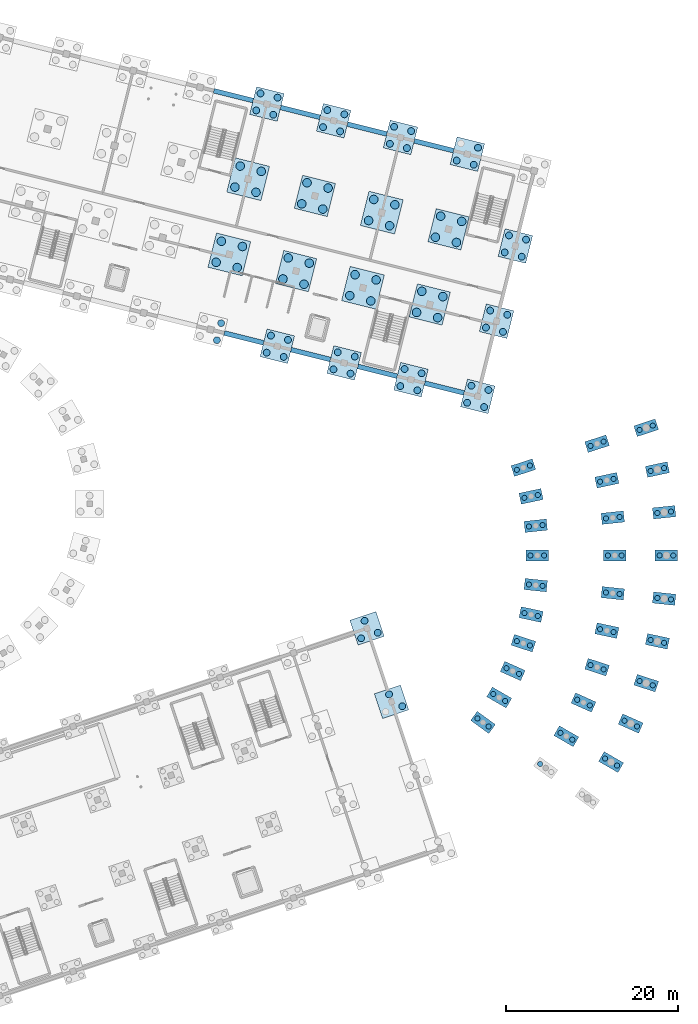
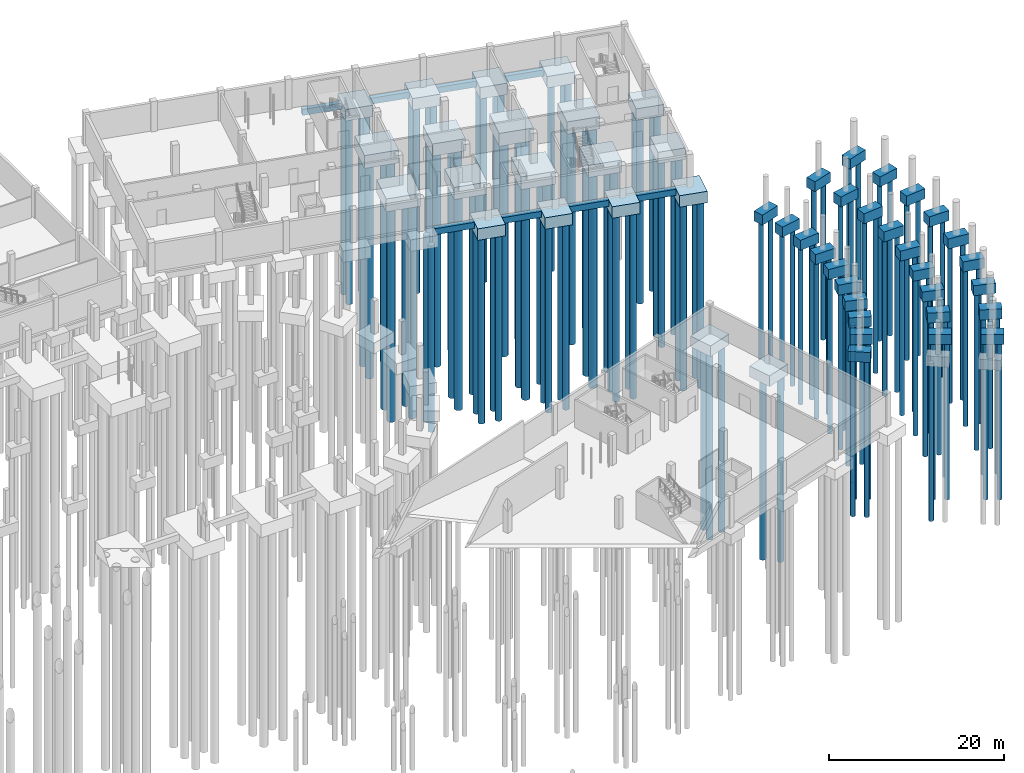
# One storey, part 6 of 36: 135 piles, 56 footings.
"""IFC4 building model written with IfcOpenShell, lengths in metres."""

import ifcopenshell
import ifcopenshell.guid

model = None  # the IFC model being written
_history = None  # IfcOwnerHistory: only IFC2X3 demands one
_inside = {}  # id of a spatial element -> (the spatial element, [elements in it])
_under = {}  # id of a project, library or spatial element -> (it, [spatial elements below it])
_declared = {}  # id of a project -> (the project, [libraries it declares])
_typed = {}  # id of a type object -> (the type object, [elements of that type])
_made_of = {}  # id of a material, layer set ... -> (it, [elements and type objects made of it])


def new_model(schema):
    """Start an empty IFC model of exactly this schema.

    Asked for "IFC4X3", IfcOpenShell would pick the latest addendum, in which some entities
    have other attributes; the version numbers below select the first issue.
    IFC2X3 requires an IfcOwnerHistory on every rooted entity: one is made here for all.
    """
    global model, _history
    if schema == "IFC4X3":
        model = ifcopenshell.file(schema_version=(4, 3, 0, 0))
    else:
        model = ifcopenshell.file(schema=schema)
    _inside.clear()
    _under.clear()
    _declared.clear()
    _typed.clear()
    _made_of.clear()
    _history = None
    if model.schema == "IFC2X3":
        org = make("IfcOrganization", Name="unknown")
        user = make(
            "IfcPersonAndOrganization",
            ThePerson=make("IfcPerson", FamilyName="unknown"),
            TheOrganization=org,
        )
        app = make(
            "IfcApplication",
            ApplicationDeveloper=org,
            Version="unknown",
            ApplicationFullName="unknown",
            ApplicationIdentifier="unknown",
        )
        _history = make(
            "IfcOwnerHistory",
            OwningUser=user,
            OwningApplication=app,
            ChangeAction="ADDED",
            CreationDate=0,
        )
    return model


def make(cls, **values):
    """One entity of the class cls with the attributes given. An attribute that is None is left unset."""
    return model.create_entity(
        cls, **{name: value for name, value in values.items() if value is not None}
    )


def rooted(cls, **values):
    """An entity with a GlobalId (a new one), such as an element, a storey or a relation."""
    return make(cls, GlobalId=ifcopenshell.guid.new(), OwnerHistory=_history, **values)


def si_unit(unit_type, name, prefix=None):
    """IfcSIUnit, for example si_unit("LENGTHUNIT", "METRE", prefix="MILLI")."""
    return make("IfcSIUnit", UnitType=unit_type, Prefix=prefix, Name=name)


def derived_unit(unit_type, elements):
    """IfcDerivedUnit: a product of units, each with its exponent."""
    return make(
        "IfcDerivedUnit",
        Elements=[
            make("IfcDerivedUnitElement", Unit=unit, Exponent=power)
            for unit, power in elements
        ],
        UnitType=unit_type,
    )


def assignment(units):
    """IfcUnitAssignment: the units of a project."""
    return None if units is None else make("IfcUnitAssignment", Units=units)


def point(xyz):
    """IfcCartesianPoint."""
    return None if xyz is None else make("IfcCartesianPoint", Coordinates=xyz)


def direction(xyz):
    """IfcDirection."""
    return None if xyz is None else make("IfcDirection", DirectionRatios=xyz)


def frame(location, z_axis=None, x_axis=None):
    """IfcAxis2Placement3D, a coordinate frame: its origin and axes. An axis left out is left unset."""
    return make(
        "IfcAxis2Placement3D",
        Location=point(location),
        Axis=direction(z_axis),
        RefDirection=direction(x_axis),
    )


def frame_2d(location, x_axis=None):
    """IfcAxis2Placement2D, a coordinate frame in the plane: its origin and x axis."""
    return make(
        "IfcAxis2Placement2D", Location=point(location), RefDirection=direction(x_axis)
    )


def origin():
    """The frame at (0, 0, 0) with its axes left unset."""
    return frame((0.0, 0.0, 0.0))


def origin_2d():
    """The frame at (0, 0) in the plane with its x axis left unset."""
    return frame_2d((0.0, 0.0))


def place(relative_to, where):
    """IfcLocalPlacement: puts the frame where relative to a parent placement (None: the world)."""
    return make(
        "IfcLocalPlacement", PlacementRelTo=relative_to, RelativePlacement=where
    )


def context(
    kind, dimensions, precision=None, world=None, true_north=None, identifier=None
):
    """IfcGeometricRepresentationContext, for example the 3D "Model" context."""
    return make(
        "IfcGeometricRepresentationContext",
        ContextIdentifier=identifier,
        ContextType=kind,
        CoordinateSpaceDimension=dimensions,
        Precision=precision,
        WorldCoordinateSystem=world,
        TrueNorth=true_north,
    )


def subcontext(parent, identifier, kind, view, scale=None):
    """IfcGeometricRepresentationSubContext, for example "Body" below "Model"."""
    return make(
        "IfcGeometricRepresentationSubContext",
        ContextIdentifier=identifier,
        ContextType=kind,
        ParentContext=parent,
        TargetScale=scale,
        TargetView=view,
    )


def project(units=None, contexts=None):
    """IfcProject with its units and contexts."""
    return rooted(
        "IfcProject",
        Name="project",
        RepresentationContexts=contexts,
        UnitsInContext=assignment(units),
    )


def spatial(cls, under=None, at=None, **own):
    """A site, building, storey or space (cls), placed at a placement, below another one or the project."""
    s = rooted(cls, ObjectPlacement=at, **own)
    if under is not None:
        _under.setdefault(under.id(), (under, []))[1].append(s)
    return s


def profile(cls, at=None, kind="AREA", **sizes):
    """A parametric profile (cls). Its sizes go by their IFC names, for example OverallWidth=200.0."""
    return make(cls, ProfileType=kind, Position=at, **sizes)


def rectangle(**sizes):
    """IfcRectangleProfileDef."""
    return profile("IfcRectangleProfileDef", **sizes)


def circle(**sizes):
    """IfcCircleProfileDef."""
    return profile("IfcCircleProfileDef", **sizes)


def extrude(swept, where, along, depth):
    """IfcExtrudedAreaSolid: the profile swept, set in the frame where, extruded along a direction by depth."""
    return make(
        "IfcExtrudedAreaSolid",
        SweptArea=swept,
        Position=where,
        ExtrudedDirection=direction(along),
        Depth=depth,
    )


def shape(context_of_items, identifier, shape_type, items):
    """IfcShapeRepresentation: the items that make up one representation, for example the "Body"."""
    return make(
        "IfcShapeRepresentation",
        ContextOfItems=context_of_items,
        RepresentationIdentifier=identifier,
        RepresentationType=shape_type,
        Items=items,
    )


def material(Name=None, Category=None):
    """IfcMaterial."""
    return make("IfcMaterial", Name=Name, Category=Category)


def material_profile(
    of_material, cross_section, Name=None, Category=None, Priority=None
):
    """IfcMaterialProfile: a cross section and its material."""
    return make(
        "IfcMaterialProfile",
        Name=Name,
        Material=of_material,
        Profile=cross_section,
        Priority=Priority,
        Category=Category,
    )


def profile_set(profiles, Name=None, composite=None):
    """IfcMaterialProfileSet."""
    return make(
        "IfcMaterialProfileSet",
        Name=Name,
        MaterialProfiles=profiles,
        CompositeProfile=composite,
    )


def made_of(thing, what):
    """Note that an element or type object is made of a material, layer set ...; save() writes the relation."""
    if what is not None:
        _made_of.setdefault(what.id(), (what, []))[1].append(thing)
    return thing


def type_object(cls, material=None, **own):
    """A type object (cls), such as IfcWallType, which elements share."""
    return made_of(rooted(cls, **own), material)


def element(
    cls,
    number,
    at=None,
    inside=None,
    cuts=None,
    type_object=None,
    material=None,
    context=None,
    identifier="Body",
    shape_type=None,
    held_by="IfcProductDefinitionShape",
    body=None,
    shapes=None,
    **own,
):
    """One element of the class cls, such as IfcWall. Its Tag is "e" and its number.

    at: its placement. inside: the storey or other place that contains it. cuts: it is an
    opening in that element (IfcRelVoidsElement). A single representation is given by context,
    identifier, shape_type and body (its items); several are given by shapes. held_by: the class
    of the entity that holds the representations. save() writes the other relations.
    """
    e = rooted(cls, Tag="e%d" % number, ObjectPlacement=at, **own)
    if body is not None:
        shapes = [shape(context, identifier, shape_type, body)]
    if shapes is not None:
        e.Representation = make(held_by, Representations=shapes)
    if inside is not None:
        _inside.setdefault(inside.id(), (inside, []))[1].append(e)
    if cuts is not None:
        rooted(
            "IfcRelVoidsElement", RelatingBuildingElement=cuts, RelatedOpeningElement=e
        )
    if type_object is not None:
        _typed.setdefault(type_object.id(), (type_object, []))[1].append(e)
    return made_of(e, material)


def aggregate(whole, parts):
    """IfcRelAggregates: a whole, such as a stair, and the parts it consists of."""
    return rooted("IfcRelAggregates", RelatingObject=whole, RelatedObjects=parts)


def save(model, path):
    """Write the relations noted so far, then the file.

    IfcRelAggregates (storeys below a building ...), IfcRelContainedInSpatialStructure (elements
    in a storey), IfcRelDefinesByType, IfcRelAssociatesMaterial and IfcRelDeclares: one each for
    every whole, place, type object, material and project.
    """
    for whole, parts in _under.values():
        aggregate(whole, parts)
    for where, things in _inside.values():
        rooted(
            "IfcRelContainedInSpatialStructure",
            RelatedElements=things,
            RelatingStructure=where,
        )
    for kind, things in _typed.values():
        rooted("IfcRelDefinesByType", RelatedObjects=things, RelatingType=kind)
    for what, things in _made_of.values():
        rooted("IfcRelAssociatesMaterial", RelatedObjects=things, RelatingMaterial=what)
    for by, libraries in _declared.values():
        rooted("IfcRelDeclares", RelatingContext=by, RelatedDefinitions=libraries)
    model.write(path)


model = new_model("IFC4")

# Units and contexts
model_context = context("Model", 3, precision=1e-05, world=origin(), true_north=direction((0.0, 1.0)))
body_context = subcontext(model_context, "Body", "Model", "MODEL_VIEW")
ifc_project = project(units=[si_unit("LENGTHUNIT", "METRE"), si_unit("AREAUNIT", "SQUARE_METRE"), si_unit("VOLUMEUNIT", "CUBIC_METRE"), si_unit("PLANEANGLEUNIT", "RADIAN"), si_unit("MASSUNIT", "GRAM", prefix="KILO"), si_unit("THERMODYNAMICTEMPERATUREUNIT", "KELVIN"), si_unit("TIMEUNIT", "SECOND"), derived_unit("THERMALTRANSMITTANCEUNIT", [(si_unit("MASSUNIT", "GRAM", prefix="KILO"), 1), (si_unit("THERMODYNAMICTEMPERATUREUNIT", "KELVIN"), -1), (si_unit("TIMEUNIT", "SECOND"), -3)])], contexts=[model_context])

# Site, building, storey
site_placement = place(None, origin())
site = spatial("IfcSite", under=ifc_project, at=site_placement, CompositionType="ELEMENT")
building_placement = place(site_placement, origin())
building = spatial("IfcBuilding", under=site, at=building_placement, Name="Cambertide Market Hall", CompositionType="ELEMENT")
storey_placement = place(building_placement, frame((0.0, 0.0, -4.199951171875)))
storey = spatial("IfcBuildingStorey", under=building, at=storey_placement, Name="B1", CompositionType="ELEMENT", Elevation=-4.199951171875)

# Piles
ifc_material_1 = material(Name="Concrete B35", Category="concrete")
ifc_material_profile_1 = material_profile(ifc_material_1, circle(Radius=0.5, at=origin_2d()), Name="BP D1000")
ifc_profile_set_1 = profile_set([ifc_material_profile_1], Name="Concrete B35")
pile_type_1 = type_object("IfcPileType", Name="Bored Pile BP-1000", PredefinedType="BORED", material=ifc_profile_set_1)
for number, where, z_axis, x_axis, name in (
    (1, (139.699462890625, 100.053466796875, -2.10009765625), (0.0, 0.0, -1.0), (1.0, 0.0, 0.0), "Basement 1 Bored Pile V4-5-2-1"),
    (2, (142.144287109375, 99.442138671875, -2.10009765625), (0.0, 0.0, -1.0), (1.0, 0.0, 0.0), "Basement 1 Bored Pile V4-5-2-2"),
    (3, (140.310546875, 102.498046875, -2.10009765625), (0.0, 0.0, -1.0), (1.0, 0.0, 0.0), "Basement 1 Bored Pile V4-5-2-3"),
    (4, (142.75537109375, 101.886962890625, -2.10009765625), (0.0, 0.0, -1.0), (1.0, 0.0, 0.0), "Basement 1 Bored Pile V4-5-2-4"),
    (5, (141.88232421875, 108.78466796875, -2.10009765625), (0.0, 0.0, -1.0), (1.0, 0.0, 0.0), "Basement 1 Bored Pile V4-5-3-1"),
    (6, (144.326904296875, 108.17333984375, -2.10009765625), (0.0, 0.0, -1.0), (1.0, 0.0, 0.0), "Basement 1 Bored Pile V4-5-3-2"),
    (7, (142.493408203125, 111.2294921875, -2.10009765625), (0.0, 0.0, -1.0), (1.0, 0.0, 0.0), "Basement 1 Bored Pile V4-5-3-3"),
    (8, (144.938232421875, 110.6181640625, -2.10009765625), (0.0, 0.0, -1.0), (1.0, 0.0, 0.0), "Basement 1 Bored Pile V4-5-3-4"),
    (9, (147.46044921875, 98.113037109375, -2.0), (0.0, 0.0, -1.0), (1.0, 0.0, 0.0), "Basement 1 Bored Pile V4-6-2-1"),
    (10, (149.9052734375, 97.501953125, -2.0), (0.0, 0.0, -1.0), (1.0, 0.0, 0.0), "Basement 1 Bored Pile V4-6-2-2"),
    (11, (148.07177734375, 100.557861328125, -2.0), (0.0, 0.0, -1.0), (1.0, 0.0, 0.0), "Basement 1 Bored Pile V4-6-2-3"),
    (12, (150.5166015625, 99.946533203125, -2.0), (0.0, 0.0, -1.0), (1.0, 0.0, 0.0), "Basement 1 Bored Pile V4-6-2-4"),
    (13, (149.643310546875, 106.84423828125, -2.0), (0.0, 0.0, -1.0), (1.0, 0.0, 0.0), "Basement 1 Bored Pile V4-6-3-1"),
    (14, (152.088134765625, 106.233154296875, -2.0), (0.0, 0.0, -1.0), (1.0, 0.0, 0.0), "Basement 1 Bored Pile V4-6-3-2"),
    (15, (150.254638671875, 109.2890625, -2.0), (0.0, 0.0, -1.0), (1.0, 0.0, 0.0), "Basement 1 Bored Pile V4-6-3-3"),
    (16, (152.69921875, 108.677978515625, -2.0), (0.0, 0.0, -1.0), (1.0, 0.0, 0.0), "Basement 1 Bored Pile V4-6-3-4"),
    (17, (155.2216796875, 96.1728515625, -2.10009765625), (0.0, 0.0, -1.0), (1.0, 0.0, 0.0), "Basement 1 Bored Pile V4-7-2-1"),
    (18, (157.66650390625, 95.5615234375, -2.10009765625), (0.0, 0.0, -1.0), (1.0, 0.0, 0.0), "Basement 1 Bored Pile V4-7-2-2"),
    (19, (155.832763671875, 98.617431640625, -2.10009765625), (0.0, 0.0, -1.0), (1.0, 0.0, 0.0), "Basement 1 Bored Pile V4-7-2-3"),
    (20, (158.277587890625, 98.00634765625, -2.10009765625), (0.0, 0.0, -1.0), (1.0, 0.0, 0.0), "Basement 1 Bored Pile V4-7-2-4"),
    (21, (157.404541015625, 104.904052734375, -2.10009765625), (0.0, 0.0, -1.0), (1.0, 0.0, 0.0), "Basement 1 Bored Pile V4-7-3-1"),
    (22, (159.849365234375, 104.29296875, -2.10009765625), (0.0, 0.0, -1.0), (1.0, 0.0, 0.0), "Basement 1 Bored Pile V4-7-3-2"),
    (23, (158.015625, 107.348876953125, -2.10009765625), (0.0, 0.0, -1.0), (1.0, 0.0, 0.0), "Basement 1 Bored Pile V4-7-3-3"),
    (24, (160.46044921875, 106.737548828125, -2.10009765625), (0.0, 0.0, -1.0), (1.0, 0.0, 0.0), "Basement 1 Bored Pile V4-7-3-4"),
    (25, (162.98291015625, 94.232421875, -2.0), (0.0, 0.0, -1.0), (1.0, 0.0, 0.0), "Basement 1 Bored Pile V4-8-2-1"),
    (26, (165.427490234375, 93.621337890625, -2.0), (0.0, 0.0, -1.0), (1.0, 0.0, 0.0), "Basement 1 Bored Pile V4-8-2-2"),
    (27, (163.593994140625, 96.67724609375, -2.0), (0.0, 0.0, -1.0), (1.0, 0.0, 0.0), "Basement 1 Bored Pile V4-8-2-3"),
    (28, (166.038818359375, 96.066162109375, -2.0), (0.0, 0.0, -1.0), (1.0, 0.0, 0.0), "Basement 1 Bored Pile V4-8-2-4"),
    (29, (165.16552734375, 102.9638671875, -2.0), (0.0, 0.0, -1.0), (1.0, 0.0, 0.0), "Basement 1 Bored Pile V4-8-3-1"),
    (30, (167.6103515625, 102.3525390625, -2.0), (0.0, 0.0, -1.0), (1.0, 0.0, 0.0), "Basement 1 Bored Pile V4-8-3-2"),
    (31, (165.77685546875, 105.408447265625, -2.0), (0.0, 0.0, -1.0), (1.0, 0.0, 0.0), "Basement 1 Bored Pile V4-8-3-3"),
    (32, (168.2216796875, 104.79736328125, -2.0), (0.0, 0.0, -1.0), (1.0, 0.0, 0.0), "Basement 1 Bored Pile V4-8-3-4"),
):
    element("IfcPile", number, at=place(storey_placement, frame(where, z_axis=z_axis, x_axis=x_axis)), inside=storey, type_object=pile_type_1, Name=name, PredefinedType="BORED", context=body_context, shape_type="SweptSolid", body=[
        extrude(circle(Radius=0.5, at=origin_2d()), origin(), (0.0, 0.0, 1.0), 29.800048828125),
    ])
ifc_material_2 = material(Name="Concrete B35", Category="concrete")
ifc_material_profile_2 = material_profile(ifc_material_2, circle(Radius=0.300048828125, at=origin_2d()), Name="BP D600")
ifc_profile_set_2 = profile_set([ifc_material_profile_2], Name="Concrete B35")
pile_type_2 = type_object("IfcPileType", Name="Bored Pile BP-600", PredefinedType="BORED", material=ifc_profile_set_2)
for number, where, z_axis, x_axis, name in (
    (33, (170.05029296875, 47.0732421875, -1.699951171875), (0.0, 0.0, -1.0), (1.0, 0.0, 0.0), "Basement 1 Bored Pile V5-IN00-1"),
    (34, (171.3447265625, 46.1328125, -1.699951171875), (0.0, 0.0, -1.0), (1.0, 0.0, 0.0), "Basement 1 Bored Pile V5-IN00-2"),
    (35, (171.885986328125, 49.89990234375, -1.699951171875), (0.0, 0.0, -1.0), (1.0, 0.0, 0.0), "Basement 1 Bored Pile V5-IN02-1"),
    (36, (173.271728515625, 49.10009765625, -1.699951171875), (0.0, 0.0, -1.0), (1.0, 0.0, 0.0), "Basement 1 Bored Pile V5-IN02-2"),
    (37, (173.416259765625, 52.903076171875, -1.699951171875), (0.0, 0.0, -1.0), (1.0, 0.0, 0.0), "Basement 1 Bored Pile V5-IN04-1"),
    (38, (174.8779296875, 52.252197265625, -1.699951171875), (0.0, 0.0, -1.0), (1.0, 0.0, 0.0), "Basement 1 Bored Pile V5-IN04-2"),
    (39, (174.6240234375, 56.049560546875, -1.699951171875), (0.0, 0.0, -1.0), (1.0, 0.0, 0.0), "Basement 1 Bored Pile V5-IN06-1"),
    (40, (176.145751953125, 55.55517578125, -1.699951171875), (0.0, 0.0, -1.0), (1.0, 0.0, 0.0), "Basement 1 Bored Pile V5-IN06-2"),
    (41, (175.496337890625, 59.30517578125, -1.699951171875), (0.0, 0.0, -1.0), (1.0, 0.0, 0.0), "Basement 1 Bored Pile V5-IN08-1"),
    (42, (177.061279296875, 58.97265625, -1.699951171875), (0.0, 0.0, -1.0), (1.0, 0.0, 0.0), "Basement 1 Bored Pile V5-IN08-2"),
    (43, (176.023681640625, 62.63427734375, -1.699951171875), (0.0, 0.0, -1.0), (1.0, 0.0, 0.0), "Basement 1 Bored Pile V5-IN10-1"),
    (44, (177.61474609375, 62.467041015625, -1.699951171875), (0.0, 0.0, -1.0), (1.0, 0.0, 0.0), "Basement 1 Bored Pile V5-IN10-2"),
    (45, (176.199951171875, 66.0, -1.699951171875), (0.0, 0.0, -1.0), (1.0, 0.0, 0.0), "Basement 1 Bored Pile V5-IN12-1"),
    (46, (177.800048828125, 66.0, -1.699951171875), (0.0, 0.0, -1.0), (1.0, 0.0, 0.0), "Basement 1 Bored Pile V5-IN12-2"),
    (47, (176.023681640625, 69.36572265625, -1.699951171875), (0.0, 0.0, -1.0), (1.0, 0.0, 0.0), "Basement 1 Bored Pile V5-IN14-1"),
    (48, (177.61474609375, 69.532958984375, -1.699951171875), (0.0, 0.0, -1.0), (1.0, 0.0, 0.0), "Basement 1 Bored Pile V5-IN14-2"),
    (49, (175.496337890625, 72.69482421875, -1.699951171875), (0.0, 0.0, -1.0), (1.0, 0.0, 0.0), "Basement 1 Bored Pile V5-IN16-1"),
    (50, (177.061279296875, 73.02734375, -1.699951171875), (0.0, 0.0, -1.0), (1.0, 0.0, 0.0), "Basement 1 Bored Pile V5-IN16-2"),
    (51, (174.6240234375, 75.950439453125, -1.699951171875), (0.0, 0.0, -1.0), (1.0, 0.0, 0.0), "Basement 1 Bored Pile V5-IN18-1"),
    (52, (176.145751953125, 76.44482421875, -1.699951171875), (0.0, 0.0, -1.0), (1.0, 0.0, 0.0), "Basement 1 Bored Pile V5-IN18-2"),
    (53, (177.33154296875, 41.783203125, -1.699951171875), (0.0, 0.0, -1.0), (1.0, 0.0, 0.0), "Basement 1 Bored Pile V5-MID00-1"),
    (54, (179.68017578125, 45.39990234375, -1.699951171875), (0.0, 0.0, -1.0), (1.0, 0.0, 0.0), "Basement 1 Bored Pile V5-MID02-1"),
    (55, (181.06591796875, 44.60009765625, -1.699951171875), (0.0, 0.0, -1.0), (1.0, 0.0, 0.0), "Basement 1 Bored Pile V5-MID02-2"),
    (56, (181.63818359375, 49.242431640625, -1.699951171875), (0.0, 0.0, -1.0), (1.0, 0.0, 0.0), "Basement 1 Bored Pile V5-MID04-1"),
    (57, (183.099853515625, 48.591552734375, -1.699951171875), (0.0, 0.0, -1.0), (1.0, 0.0, 0.0), "Basement 1 Bored Pile V5-MID04-2"),
    (58, (183.18359375, 53.2685546875, -1.699951171875), (0.0, 0.0, -1.0), (1.0, 0.0, 0.0), "Basement 1 Bored Pile V5-MID06-1"),
    (59, (184.705322265625, 52.774169921875, -1.699951171875), (0.0, 0.0, -1.0), (1.0, 0.0, 0.0), "Basement 1 Bored Pile V5-MID06-2"),
    (60, (184.299560546875, 57.43408203125, -1.699951171875), (0.0, 0.0, -1.0), (1.0, 0.0, 0.0), "Basement 1 Bored Pile V5-MID08-1"),
    (61, (185.86474609375, 57.101318359375, -1.699951171875), (0.0, 0.0, -1.0), (1.0, 0.0, 0.0), "Basement 1 Bored Pile V5-MID08-2"),
    (62, (184.974365234375, 61.693359375, -1.699951171875), (0.0, 0.0, -1.0), (1.0, 0.0, 0.0), "Basement 1 Bored Pile V5-MID10-1"),
    (63, (186.5654296875, 61.526123046875, -1.699951171875), (0.0, 0.0, -1.0), (1.0, 0.0, 0.0), "Basement 1 Bored Pile V5-MID10-2"),
    (64, (185.199951171875, 66.0, -1.699951171875), (0.0, 0.0, -1.0), (1.0, 0.0, 0.0), "Basement 1 Bored Pile V5-MID12-1"),
    (65, (186.800048828125, 66.0, -1.699951171875), (0.0, 0.0, -1.0), (1.0, 0.0, 0.0), "Basement 1 Bored Pile V5-MID12-2"),
    (66, (184.974365234375, 70.306640625, -1.699951171875), (0.0, 0.0, -1.0), (1.0, 0.0, 0.0), "Basement 1 Bored Pile V5-MID14-1"),
    (67, (186.5654296875, 70.473876953125, -1.699951171875), (0.0, 0.0, -1.0), (1.0, 0.0, 0.0), "Basement 1 Bored Pile V5-MID14-2"),
    (68, (184.299560546875, 74.56591796875, -1.699951171875), (0.0, 0.0, -1.0), (1.0, 0.0, 0.0), "Basement 1 Bored Pile V5-MID16-1"),
    (69, (185.86474609375, 74.898681640625, -1.699951171875), (0.0, 0.0, -1.0), (1.0, 0.0, 0.0), "Basement 1 Bored Pile V5-MID16-2"),
    (70, (183.18359375, 78.7314453125, -1.699951171875), (0.0, 0.0, -1.0), (1.0, 0.0, 0.0), "Basement 1 Bored Pile V5-MID18-1"),
    (71, (184.705322265625, 79.225830078125, -1.699951171875), (0.0, 0.0, -1.0), (1.0, 0.0, 0.0), "Basement 1 Bored Pile V5-MID18-2"),
    (72, (184.87646484375, 42.39990234375, -1.699951171875), (0.0, 0.0, -1.0), (1.0, 0.0, 0.0), "Basement 1 Bored Pile V5-OUT02-1"),
    (73, (186.261962890625, 41.60009765625, -1.699951171875), (0.0, 0.0, -1.0), (1.0, 0.0, 0.0), "Basement 1 Bored Pile V5-OUT02-2"),
    (74, (187.119384765625, 46.802001953125, -1.699951171875), (0.0, 0.0, -1.0), (1.0, 0.0, 0.0), "Basement 1 Bored Pile V5-OUT04-1"),
    (75, (188.5810546875, 46.1513671875, -1.699951171875), (0.0, 0.0, -1.0), (1.0, 0.0, 0.0), "Basement 1 Bored Pile V5-OUT04-2"),
    (76, (188.889892578125, 51.414306640625, -1.699951171875), (0.0, 0.0, -1.0), (1.0, 0.0, 0.0), "Basement 1 Bored Pile V5-OUT06-1"),
    (77, (190.41162109375, 50.919921875, -1.699951171875), (0.0, 0.0, -1.0), (1.0, 0.0, 0.0), "Basement 1 Bored Pile V5-OUT06-2"),
    (78, (190.16845703125, 56.1865234375, -1.699951171875), (0.0, 0.0, -1.0), (1.0, 0.0, 0.0), "Basement 1 Bored Pile V5-OUT08-1"),
    (79, (191.733642578125, 55.85400390625, -1.699951171875), (0.0, 0.0, -1.0), (1.0, 0.0, 0.0), "Basement 1 Bored Pile V5-OUT08-2"),
    (80, (190.94140625, 61.066162109375, -1.699951171875), (0.0, 0.0, -1.0), (1.0, 0.0, 0.0), "Basement 1 Bored Pile V5-OUT10-1"),
    (81, (192.53271484375, 60.89892578125, -1.699951171875), (0.0, 0.0, -1.0), (1.0, 0.0, 0.0), "Basement 1 Bored Pile V5-OUT10-2"),
    (82, (191.199951171875, 66.0, -1.699951171875), (0.0, 0.0, -1.0), (1.0, 0.0, 0.0), "Basement 1 Bored Pile V5-OUT12-1"),
    (83, (192.800048828125, 66.0, -1.699951171875), (0.0, 0.0, -1.0), (1.0, 0.0, 0.0), "Basement 1 Bored Pile V5-OUT12-2"),
    (84, (190.94140625, 70.933837890625, -1.699951171875), (0.0, 0.0, -1.0), (1.0, 0.0, 0.0), "Basement 1 Bored Pile V5-OUT14-1"),
    (85, (192.53271484375, 71.10107421875, -1.699951171875), (0.0, 0.0, -1.0), (1.0, 0.0, 0.0), "Basement 1 Bored Pile V5-OUT14-2"),
    (86, (190.16845703125, 75.8134765625, -1.699951171875), (0.0, 0.0, -1.0), (1.0, 0.0, 0.0), "Basement 1 Bored Pile V5-OUT16-1"),
    (87, (191.733642578125, 76.14599609375, -1.699951171875), (0.0, 0.0, -1.0), (1.0, 0.0, 0.0), "Basement 1 Bored Pile V5-OUT16-2"),
    (88, (188.889892578125, 80.585693359375, -1.699951171875), (0.0, 0.0, -1.0), (1.0, 0.0, 0.0), "Basement 1 Bored Pile V5-OUT18-1"),
    (89, (190.41162109375, 81.080078125, -1.699951171875), (0.0, 0.0, -1.0), (1.0, 0.0, 0.0), "Basement 1 Bored Pile V5-OUT18-2"),
):
    element("IfcPile", number, at=place(storey_placement, frame(where, z_axis=z_axis, x_axis=x_axis)), inside=storey, type_object=pile_type_2, Name=name, PredefinedType="BORED", context=body_context, shape_type="SweptSolid", body=[
        extrude(circle(Radius=0.300048828125, at=origin_2d()), origin(), (0.0, 0.0, 1.0), 22.0),
    ])
ifc_material_3 = material(Name="Concrete B35", Category="concrete")
ifc_material_profile_3 = material_profile(ifc_material_3, circle(Radius=0.39990234375, at=origin_2d()), Name="BP D800")
ifc_profile_set_3 = profile_set([ifc_material_profile_3], Name="Concrete B35")
pile_type_3 = type_object("IfcPileType", Name="Bored Pile BP-800", PredefinedType="BORED", material=ifc_profile_set_3)
for number, where, z_axis, x_axis, name in (
    (90, (161.32080078125, 48.486328125, -1.800048828125), (0.0, 0.0, -1.0), (1.0, 0.0, 0.0), "Basement 1 Bored Pile V3-8-3-2"),
    (91, (159.783935546875, 49.871337890625, -1.800048828125), (0.0, 0.0, -1.0), (1.0, 0.0, 0.0), "Basement 1 Bored Pile V3-8-3-3"),
    (92, (156.53955078125, 56.37939453125, -1.800048828125), (0.0, 0.0, -1.0), (1.0, 0.0, 0.0), "Basement 1 Bored Pile V3-8-4-1"),
    (93, (158.474853515625, 57.0244140625, -1.800048828125), (0.0, 0.0, -1.0), (1.0, 0.0, 0.0), "Basement 1 Bored Pile V3-8-4-2"),
    (94, (156.93798828125, 58.40966796875, -1.800048828125), (0.0, 0.0, -1.0), (1.0, 0.0, 0.0), "Basement 1 Bored Pile V3-8-4-3"),
    (95, (139.78662109375, 91.001953125, -1.900146484375), (0.0, 0.0, -1.0), (1.0, 0.0, 0.0), "Basement 1 Bored Pile V4-5-1-2"),
    (96, (140.281494140625, 92.98095703125, -1.900146484375), (0.0, 0.0, -1.0), (1.0, 0.0, 0.0), "Basement 1 Bored Pile V4-5-1-4"),
    (97, (144.356201171875, 117.6904296875, -1.900146484375), (0.0, 0.0, -1.0), (1.0, 0.0, 0.0), "Basement 1 Bored Pile V4-5-4-1"),
    (98, (146.335205078125, 117.19580078125, -1.900146484375), (0.0, 0.0, -1.0), (1.0, 0.0, 0.0), "Basement 1 Bored Pile V4-5-4-2"),
    (99, (144.850830078125, 119.669677734375, -1.900146484375), (0.0, 0.0, -1.0), (1.0, 0.0, 0.0), "Basement 1 Bored Pile V4-5-4-3"),
    (100, (146.829833984375, 119.1748046875, -1.900146484375), (0.0, 0.0, -1.0), (1.0, 0.0, 0.0), "Basement 1 Bored Pile V4-5-4-4"),
    (101, (145.56884765625, 89.556396484375, -1.900146484375), (0.0, 0.0, -1.0), (1.0, 0.0, 0.0), "Basement 1 Bored Pile V4-6-1-1"),
    (102, (147.5478515625, 89.0615234375, -1.900146484375), (0.0, 0.0, -1.0), (1.0, 0.0, 0.0), "Basement 1 Bored Pile V4-6-1-2"),
    (103, (146.0634765625, 91.535400390625, -1.900146484375), (0.0, 0.0, -1.0), (1.0, 0.0, 0.0), "Basement 1 Bored Pile V4-6-1-3"),
    (104, (148.042724609375, 91.040771484375, -1.900146484375), (0.0, 0.0, -1.0), (1.0, 0.0, 0.0), "Basement 1 Bored Pile V4-6-1-4"),
    (105, (152.1171875, 115.750244140625, -1.900146484375), (0.0, 0.0, -1.0), (1.0, 0.0, 0.0), "Basement 1 Bored Pile V4-6-4-1"),
    (106, (154.096435546875, 115.25537109375, -1.900146484375), (0.0, 0.0, -1.0), (1.0, 0.0, 0.0), "Basement 1 Bored Pile V4-6-4-2"),
    (107, (152.612060546875, 117.729248046875, -1.900146484375), (0.0, 0.0, -1.0), (1.0, 0.0, 0.0), "Basement 1 Bored Pile V4-6-4-3"),
    (108, (154.591064453125, 117.234619140625, -1.900146484375), (0.0, 0.0, -1.0), (1.0, 0.0, 0.0), "Basement 1 Bored Pile V4-6-4-4"),
    (109, (153.329833984375, 87.6162109375, -1.900146484375), (0.0, 0.0, -1.0), (1.0, 0.0, 0.0), "Basement 1 Bored Pile V4-7-1-1"),
    (110, (155.30908203125, 87.121337890625, -1.900146484375), (0.0, 0.0, -1.0), (1.0, 0.0, 0.0), "Basement 1 Bored Pile V4-7-1-2"),
    (111, (153.82470703125, 89.59521484375, -1.900146484375), (0.0, 0.0, -1.0), (1.0, 0.0, 0.0), "Basement 1 Bored Pile V4-7-1-3"),
    (112, (155.8037109375, 89.100341796875, -1.900146484375), (0.0, 0.0, -1.0), (1.0, 0.0, 0.0), "Basement 1 Bored Pile V4-7-1-4"),
    (113, (159.87841796875, 113.81005859375, -1.900146484375), (0.0, 0.0, -1.0), (1.0, 0.0, 0.0), "Basement 1 Bored Pile V4-7-4-1"),
    (114, (161.857421875, 113.315185546875, -1.900146484375), (0.0, 0.0, -1.0), (1.0, 0.0, 0.0), "Basement 1 Bored Pile V4-7-4-2"),
    (115, (160.373046875, 115.7890625, -1.900146484375), (0.0, 0.0, -1.0), (1.0, 0.0, 0.0), "Basement 1 Bored Pile V4-7-4-3"),
    (116, (162.352294921875, 115.294189453125, -1.900146484375), (0.0, 0.0, -1.0), (1.0, 0.0, 0.0), "Basement 1 Bored Pile V4-7-4-4"),
    (117, (161.091064453125, 85.67578125, -1.900146484375), (0.0, 0.0, -1.0), (1.0, 0.0, 0.0), "Basement 1 Bored Pile V4-8-1-1"),
    (118, (163.070068359375, 85.18115234375, -1.900146484375), (0.0, 0.0, -1.0), (1.0, 0.0, 0.0), "Basement 1 Bored Pile V4-8-1-2"),
    (119, (161.5859375, 87.655029296875, -1.900146484375), (0.0, 0.0, -1.0), (1.0, 0.0, 0.0), "Basement 1 Bored Pile V4-8-1-3"),
    (120, (163.56494140625, 87.16015625, -1.900146484375), (0.0, 0.0, -1.0), (1.0, 0.0, 0.0), "Basement 1 Bored Pile V4-8-1-4"),
    (121, (167.639404296875, 111.86962890625, -1.900146484375), (0.0, 0.0, -1.0), (1.0, 0.0, 0.0), "Basement 1 Bored Pile V4-8-4-1"),
    (122, (169.61865234375, 111.375, -1.900146484375), (0.0, 0.0, -1.0), (1.0, 0.0, 0.0), "Basement 1 Bored Pile V4-8-4-2"),
    (123, (170.11328125, 113.35400390625, -1.900146484375), (0.0, 0.0, -1.0), (1.0, 0.0, 0.0), "Basement 1 Bored Pile V4-8-4-4"),
    (124, (168.852294921875, 83.735595703125, -1.900146484375), (0.0, 0.0, -1.0), (1.0, 0.0, 0.0), "Basement 1 Bored Pile V4-9-1-1"),
    (125, (170.831298828125, 83.24072265625, -1.900146484375), (0.0, 0.0, -1.0), (1.0, 0.0, 0.0), "Basement 1 Bored Pile V4-9-1-2"),
    (126, (169.346923828125, 85.714599609375, -1.900146484375), (0.0, 0.0, -1.0), (1.0, 0.0, 0.0), "Basement 1 Bored Pile V4-9-1-3"),
    (127, (171.326171875, 85.219970703125, -1.900146484375), (0.0, 0.0, -1.0), (1.0, 0.0, 0.0), "Basement 1 Bored Pile V4-9-1-4"),
    (128, (171.034912109375, 92.466796875, -1.900146484375), (0.0, 0.0, -1.0), (1.0, 0.0, 0.0), "Basement 1 Bored Pile V4-9-2-1"),
    (129, (173.01416015625, 91.97216796875, -1.900146484375), (0.0, 0.0, -1.0), (1.0, 0.0, 0.0), "Basement 1 Bored Pile V4-9-2-2"),
    (130, (171.52978515625, 94.446044921875, -1.900146484375), (0.0, 0.0, -1.0), (1.0, 0.0, 0.0), "Basement 1 Bored Pile V4-9-2-3"),
    (131, (173.5087890625, 93.951171875, -1.900146484375), (0.0, 0.0, -1.0), (1.0, 0.0, 0.0), "Basement 1 Bored Pile V4-9-2-4"),
    (132, (173.2177734375, 101.1982421875, -1.900146484375), (0.0, 0.0, -1.0), (1.0, 0.0, 0.0), "Basement 1 Bored Pile V4-9-3-1"),
    (133, (175.197021484375, 100.703369140625, -1.900146484375), (0.0, 0.0, -1.0), (1.0, 0.0, 0.0), "Basement 1 Bored Pile V4-9-3-2"),
    (134, (173.712646484375, 103.17724609375, -1.900146484375), (0.0, 0.0, -1.0), (1.0, 0.0, 0.0), "Basement 1 Bored Pile V4-9-3-3"),
    (135, (175.691650390625, 102.682373046875, -1.900146484375), (0.0, 0.0, -1.0), (1.0, 0.0, 0.0), "Basement 1 Bored Pile V4-9-3-4"),
):
    element("IfcPile", number, at=place(storey_placement, frame(where, z_axis=z_axis, x_axis=x_axis)), inside=storey, type_object=pile_type_3, Name=name, PredefinedType="BORED", context=body_context, shape_type="SweptSolid", body=[
        extrude(circle(Radius=0.39990234375, at=origin_2d()), origin(), (0.0, 0.0, 1.0), 26.0),
    ])

# Footings
ifc_material_4 = material(Name="Concrete B35", Category="concrete")
footing_type_1 = type_object("IfcFootingType", Name="Concrete Pile Cap PC-02", PredefinedType="PILE_CAP", material=ifc_material_4)
for number, where, z_axis, x_axis, name in (
    (136, (170.697509765625, 46.60302734375, -1.800048828125), (0.0, 0.0, 1.0), (0.809016994375, -0.587785252292, 0.0), "Basement 1 Pile Cap V5-IN00"),
    (137, (172.578857421875, 49.5, -1.800048828125), (0.0, 0.0, 1.0), (0.866025403784, -0.5, 0.0), "Basement 1 Pile Cap V5-IN02"),
    (138, (174.14697265625, 52.57763671875, -1.800048828125), (0.0, 0.0, 1.0), (0.913545457643, -0.406736643076, 0.0), "Basement 1 Pile Cap V5-IN04"),
    (139, (175.384765625, 55.802490234375, -1.800048828125), (0.0, 0.0, 1.0), (0.951056516295, -0.309016994375, 0.0), "Basement 1 Pile Cap V5-IN06"),
    (140, (176.27880859375, 59.138916015625, -1.800048828125), (0.0, 0.0, 1.0), (0.978147600734, -0.207911690818, 0.0), "Basement 1 Pile Cap V5-IN08"),
    (141, (176.8193359375, 62.550537109375, -1.800048828125), (0.0, 0.0, 1.0), (0.994521895368, -0.104528463268, 0.0), "Basement 1 Pile Cap V5-IN10"),
    (142, (177.0, 66.0, -1.800048828125), (0.0, 0.0, 1.0), (1.0, 0.0, 0.0), "Basement 1 Pile Cap V5-IN12"),
    (143, (176.8193359375, 69.449462890625, -1.800048828125), (0.0, 0.0, 1.0), (0.994521895368, 0.104528463268, 0.0), "Basement 1 Pile Cap V5-IN14"),
    (144, (176.27880859375, 72.861083984375, -1.800048828125), (0.0, 0.0, 1.0), (0.978147600734, 0.207911690818, 0.0), "Basement 1 Pile Cap V5-IN16"),
    (145, (175.384765625, 76.197509765625, -1.800048828125), (0.0, 0.0, 1.0), (0.951056516295, 0.309016994375, 0.0), "Basement 1 Pile Cap V5-IN18"),
    (146, (180.373046875, 45.0, -1.800048828125), (0.0, 0.0, 1.0), (0.866025403784, -0.5, 0.0), "Basement 1 Pile Cap V5-MID02"),
    (147, (182.368896484375, 48.9169921875, -1.800048828125), (0.0, 0.0, 1.0), (0.913545457643, -0.406736643076, 0.0), "Basement 1 Pile Cap V5-MID04"),
    (148, (183.9443359375, 53.021240234375, -1.800048828125), (0.0, 0.0, 1.0), (0.951056516295, -0.309016994375, 0.0), "Basement 1 Pile Cap V5-MID06"),
    (149, (185.082275390625, 57.267822265625, -1.800048828125), (0.0, 0.0, 1.0), (0.978147600734, -0.207911690818, 0.0), "Basement 1 Pile Cap V5-MID08"),
    (150, (185.77001953125, 61.60986328125, -1.800048828125), (0.0, 0.0, 1.0), (0.994521895368, -0.104528463268, 0.0), "Basement 1 Pile Cap V5-MID10"),
    (151, (186.0, 66.0, -1.800048828125), (0.0, 0.0, 1.0), (1.0, 0.0, 0.0), "Basement 1 Pile Cap V5-MID12"),
    (152, (185.77001953125, 70.39013671875, -1.800048828125), (0.0, 0.0, 1.0), (0.994521895368, 0.104528463268, 0.0), "Basement 1 Pile Cap V5-MID14"),
    (153, (185.082275390625, 74.732177734375, -1.800048828125), (0.0, 0.0, 1.0), (0.978147600734, 0.207911690818, 0.0), "Basement 1 Pile Cap V5-MID16"),
    (154, (183.9443359375, 78.978759765625, -1.800048828125), (0.0, 0.0, 1.0), (0.951056516295, 0.309016994375, 0.0), "Basement 1 Pile Cap V5-MID18"),
    (155, (185.5693359375, 42.0, -1.800048828125), (0.0, 0.0, 1.0), (0.866025403784, -0.5, 0.0), "Basement 1 Pile Cap V5-OUT02"),
    (156, (187.85009765625, 46.4765625, -1.800048828125), (0.0, 0.0, 1.0), (0.913545457643, -0.406736643076, 0.0), "Basement 1 Pile Cap V5-OUT04"),
    (157, (189.650634765625, 51.167236328125, -1.800048828125), (0.0, 0.0, 1.0), (0.951056516295, -0.309016994375, 0.0), "Basement 1 Pile Cap V5-OUT06"),
    (158, (190.951171875, 56.020263671875, -1.800048828125), (0.0, 0.0, 1.0), (0.978147600734, -0.207911690818, 0.0), "Basement 1 Pile Cap V5-OUT08"),
    (159, (191.737060546875, 60.982666015625, -1.800048828125), (0.0, 0.0, 1.0), (0.994521895368, -0.104528463268, 0.0), "Basement 1 Pile Cap V5-OUT10"),
    (160, (192.0, 66.0, -1.800048828125), (0.0, 0.0, 1.0), (1.0, 0.0, 0.0), "Basement 1 Pile Cap V5-OUT12"),
    (161, (191.737060546875, 71.017333984375, -1.800048828125), (0.0, 0.0, 1.0), (0.994521895368, 0.104528463268, 0.0), "Basement 1 Pile Cap V5-OUT14"),
    (162, (190.951171875, 75.979736328125, -1.800048828125), (0.0, 0.0, 1.0), (0.978147600734, 0.207911690818, 0.0), "Basement 1 Pile Cap V5-OUT16"),
    (163, (189.650634765625, 80.832763671875, -1.800048828125), (0.0, 0.0, 1.0), (0.951056516295, 0.309016994375, 0.0), "Basement 1 Pile Cap V5-OUT18"),
):
    element("IfcFooting", number, at=place(storey_placement, frame(where, z_axis=z_axis, x_axis=x_axis)), inside=storey, type_object=footing_type_1, Name=name, PredefinedType="PILE_CAP", context=body_context, shape_type="SweptSolid", body=[
        extrude(rectangle(XDim=2.60009765625, YDim=1.300048828125, at=origin_2d()), origin(), (0.0, 0.0, 1.0), 1.39990234375),
    ])
ifc_material_5 = material(Name="Concrete B35", Category="concrete")
footing_type_2 = type_object("IfcFootingType", Name="Concrete Pile Cap PC-03", PredefinedType="PILE_CAP", material=ifc_material_5)
for number, where, z_axis, x_axis, name in (
    (164, (160.074951171875, 48.99853515625, -1.900146484375), (0.0, 0.0, 1.0), (0.94868329805, 0.316227766018, 0.0), "Basement 1 Pile Cap V3-8-3"),
    (165, (157.22900390625, 57.536865234375, -1.900146484375), (0.0, 0.0, 1.0), (0.94868329805, 0.316227766018, 0.0), "Basement 1 Pile Cap V3-8-4"),
):
    element("IfcFooting", number, at=place(storey_placement, frame(where, z_axis=z_axis, x_axis=x_axis)), inside=storey, type_object=footing_type_2, Name=name, PredefinedType="PILE_CAP", context=body_context, shape_type="SweptSolid", body=[
        extrude(rectangle(XDim=3.199951171875, YDim=3.0400390625, at=origin_2d()), origin(), (0.0, 0.0, 1.0), 1.5),
    ])
ifc_material_6 = material(Name="Concrete B35", Category="concrete")
footing_type_3 = type_object("IfcFootingType", Name="Concrete Pile Cap PC-04B", PredefinedType="PILE_CAP", material=ifc_material_6)
for number, where, z_axis, x_axis, name in (
    (166, (145.593017578125, 118.4326171875, -2.0), (0.0, 0.0, 1.0), (0.970142500145, -0.242535625038, 0.0), "Basement 1 Pile Cap V4-5-4"),
    (167, (146.8056640625, 90.298583984375, -2.0), (0.0, 0.0, 1.0), (0.970142500145, -0.242535625038, 0.0), "Basement 1 Pile Cap V4-6-1"),
    (168, (153.354248046875, 116.492431640625, -2.0), (0.0, 0.0, 1.0), (0.970142500145, -0.242535625038, 0.0), "Basement 1 Pile Cap V4-6-4"),
    (169, (154.56689453125, 88.3583984375, -2.0), (0.0, 0.0, 1.0), (0.970142500145, -0.242535625038, 0.0), "Basement 1 Pile Cap V4-7-1"),
    (170, (161.115234375, 114.55224609375, -2.0), (0.0, 0.0, 1.0), (0.970142500145, -0.242535625038, 0.0), "Basement 1 Pile Cap V4-7-4"),
    (171, (162.327880859375, 86.41796875, -2.0), (0.0, 0.0, 1.0), (0.970142500145, -0.242535625038, 0.0), "Basement 1 Pile Cap V4-8-1"),
    (172, (168.87646484375, 112.61181640625, -2.0), (0.0, 0.0, 1.0), (0.970142500145, -0.242535625038, 0.0), "Basement 1 Pile Cap V4-8-4"),
    (173, (170.089111328125, 84.477783203125, -2.0), (0.0, 0.0, 1.0), (0.970142500145, -0.242535625038, 0.0), "Basement 1 Pile Cap V4-9-1"),
    (174, (172.27197265625, 93.208984375, -2.0), (0.0, 0.0, 1.0), (0.970142500145, -0.242535625038, 0.0), "Basement 1 Pile Cap V4-9-2"),
    (175, (174.454833984375, 101.940185546875, -2.0), (0.0, 0.0, 1.0), (0.970142500145, -0.242535625038, 0.0), "Basement 1 Pile Cap V4-9-3"),
):
    element("IfcFooting", number, at=place(storey_placement, frame(where, z_axis=z_axis, x_axis=x_axis)), inside=storey, type_object=footing_type_3, Name=name, PredefinedType="PILE_CAP", context=body_context, shape_type="SweptSolid", body=[
        extrude(rectangle(XDim=3.300048828125, YDim=3.300048828125, at=origin_2d()), origin(), (0.0, 0.0, 1.0), 1.60009765625),
    ])
ifc_material_7 = material(Name="Concrete B35", Category="concrete")
footing_type_4 = type_object("IfcFootingType", Name="Concrete Pile Cap PC-04C", PredefinedType="PILE_CAP", material=ifc_material_7)
for number, where, z_axis, x_axis, name in (
    (176, (141.227294921875, 100.97021484375, -2.2001953125), (0.0, 0.0, 1.0), (0.970142500145, -0.242535625038, 0.0), "Basement 1 Pile Cap V4-5-2"),
    (177, (143.41015625, 109.701416015625, -2.2001953125), (0.0, 0.0, 1.0), (0.970142500145, -0.242535625038, 0.0), "Basement 1 Pile Cap V4-5-3"),
    (178, (156.749755859375, 97.089599609375, -2.2001953125), (0.0, 0.0, 1.0), (0.970142500145, -0.242535625038, 0.0), "Basement 1 Pile Cap V4-7-2"),
    (179, (158.932373046875, 105.82080078125, -2.2001953125), (0.0, 0.0, 1.0), (0.970142500145, -0.242535625038, 0.0), "Basement 1 Pile Cap V4-7-3"),
):
    element("IfcFooting", number, at=place(storey_placement, frame(where, z_axis=z_axis, x_axis=x_axis)), inside=storey, type_object=footing_type_4, Name=name, PredefinedType="PILE_CAP", context=body_context, shape_type="SweptSolid", body=[
        extrude(rectangle(XDim=4.10009765625, YDim=4.10009765625, at=origin_2d()), origin(), (0.0, 0.0, 1.0), 1.800048828125),
    ])
ifc_material_8 = material(Name="Concrete B35", Category="concrete")
footing_type_5 = type_object("IfcFootingType", Name="Concrete Pile Cap PC-04E", PredefinedType="PILE_CAP", material=ifc_material_8)
for number, where, z_axis, x_axis, name in (
    (180, (148.988525390625, 99.02978515625, -2.10009765625), (0.0, 0.0, 1.0), (0.970142500145, -0.242535625038, 0.0), "Basement 1 Pile Cap V4-6-2"),
    (181, (151.17138671875, 107.76123046875, -2.10009765625), (0.0, 0.0, 1.0), (0.970142500145, -0.242535625038, 0.0), "Basement 1 Pile Cap V4-6-3"),
    (182, (164.5107421875, 95.149169921875, -2.10009765625), (0.0, 0.0, 1.0), (0.970142500145, -0.242535625038, 0.0), "Basement 1 Pile Cap V4-8-2"),
    (183, (166.693603515625, 103.880615234375, -2.10009765625), (0.0, 0.0, 1.0), (0.970142500145, -0.242535625038, 0.0), "Basement 1 Pile Cap V4-8-3"),
):
    element("IfcFooting", number, at=place(storey_placement, frame(where, z_axis=z_axis, x_axis=x_axis)), inside=storey, type_object=footing_type_5, Name=name, PredefinedType="PILE_CAP", context=body_context, shape_type="SweptSolid", body=[
        extrude(rectangle(XDim=3.949951171875, YDim=3.949951171875, at=origin_2d()), origin(), (0.0, 0.0, 1.0), 1.699951171875),
    ])
ifc_material_9 = material(Name="Concrete B35", Category="concrete")
footing_type_6 = type_object("IfcFootingType", Name="Foundation Tie Beam FB-04", PredefinedType="FOOTING_BEAM", material=ifc_material_9)
for number, where, z_axis, x_axis, name in (
    (184, (141.71240234375, 119.40283203125, -1.25), (0.0, 0.0, 1.0), (0.970142500145, -0.242535625038, 0.0), "Basement 1 Foundation Tie Beam FB-V4U-4-4"),
    (185, (142.925048828125, 91.268798828125, -1.25), (0.0, 0.0, 1.0), (0.970142500145, -0.242535625038, 0.0), "Basement 1 Foundation Tie Beam FB-V4U-5-1"),
    (186, (149.4736328125, 117.462646484375, -1.25), (0.0, 0.0, 1.0), (0.970142500145, -0.242535625038, 0.0), "Basement 1 Foundation Tie Beam FB-V4U-5-4"),
    (187, (150.686279296875, 89.328369140625, -1.25), (0.0, 0.0, 1.0), (0.970142500145, -0.242535625038, 0.0), "Basement 1 Foundation Tie Beam FB-V4U-6-1"),
    (188, (157.234619140625, 115.522216796875, -1.25), (0.0, 0.0, 1.0), (0.970142500145, -0.242535625038, 0.0), "Basement 1 Foundation Tie Beam FB-V4U-6-4"),
    (189, (158.447509765625, 87.38818359375, -1.25), (0.0, 0.0, 1.0), (0.970142500145, -0.242535625038, 0.0), "Basement 1 Foundation Tie Beam FB-V4U-7-1"),
    (190, (164.995849609375, 113.58203125, -1.25), (0.0, 0.0, 1.0), (0.970142500145, -0.242535625038, 0.0), "Basement 1 Foundation Tie Beam FB-V4U-7-4"),
    (191, (166.20849609375, 85.44775390625, -1.25), (0.0, 0.0, 1.0), (0.970142500145, -0.242535625038, 0.0), "Basement 1 Foundation Tie Beam FB-V4U-8-1"),
):
    element("IfcFooting", number, at=place(storey_placement, frame(where, z_axis=z_axis, x_axis=x_axis)), inside=storey, type_object=footing_type_6, Name=name, PredefinedType="FOOTING_BEAM", context=body_context, shape_type="SweptSolid", body=[
        extrude(rectangle(XDim=4.699951171875, YDim=0.550048828125, at=origin_2d()), origin(), (0.0, 0.0, 1.0), 0.85009765625),
    ])

save(model, "model.ifc")
